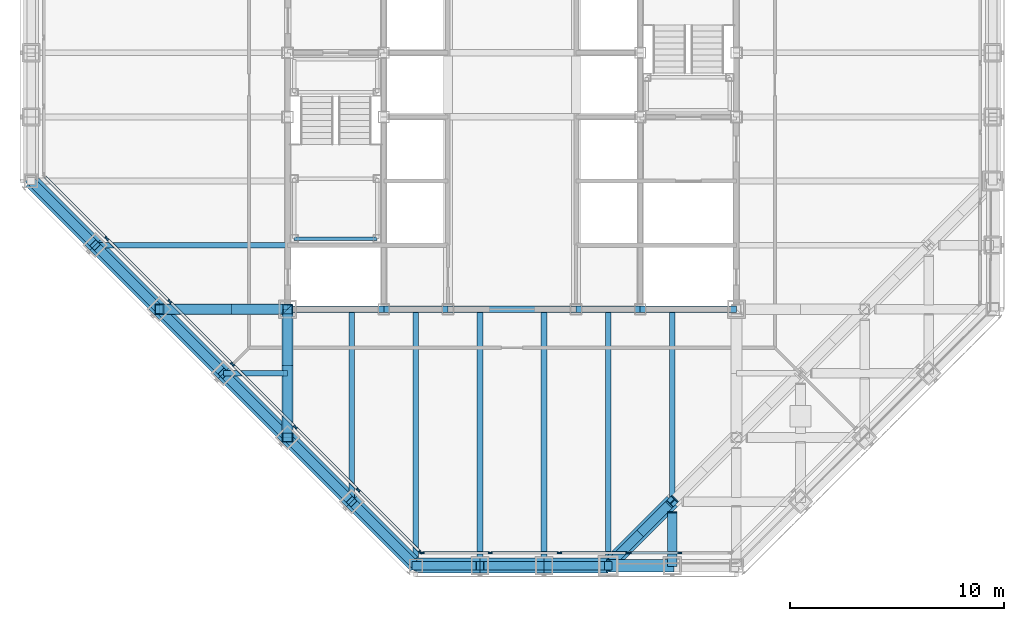
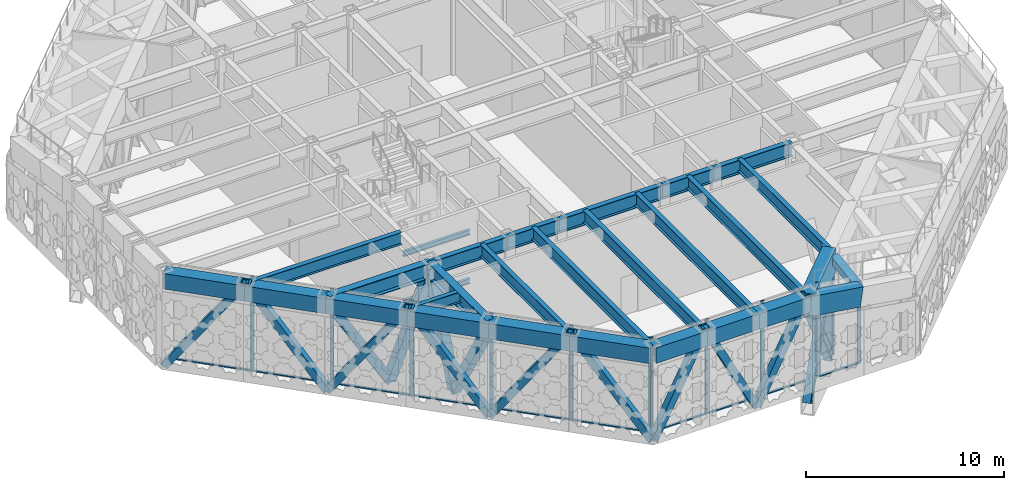
# One storey, part 5 of 29: 39 members, 28 beams, 3 elements without a shape of their own.
"""IFC4 building model written with IfcOpenShell, lengths in metres."""

import ifcopenshell
import ifcopenshell.guid

model = None  # the IFC model being written
_history = None  # IfcOwnerHistory: only IFC2X3 demands one
_inside = {}  # id of a spatial element -> (the spatial element, [elements in it])
_under = {}  # id of a project, library or spatial element -> (it, [spatial elements below it])
_declared = {}  # id of a project -> (the project, [libraries it declares])
_typed = {}  # id of a type object -> (the type object, [elements of that type])
_made_of = {}  # id of a material, layer set ... -> (it, [elements and type objects made of it])


def new_model(schema):
    """Start an empty IFC model of exactly this schema.

    Asked for "IFC4X3", IfcOpenShell would pick the latest addendum, in which some entities
    have other attributes; the version numbers below select the first issue.
    IFC2X3 requires an IfcOwnerHistory on every rooted entity: one is made here for all.
    """
    global model, _history
    if schema == "IFC4X3":
        model = ifcopenshell.file(schema_version=(4, 3, 0, 0))
    else:
        model = ifcopenshell.file(schema=schema)
    _inside.clear()
    _under.clear()
    _declared.clear()
    _typed.clear()
    _made_of.clear()
    _history = None
    if model.schema == "IFC2X3":
        org = make("IfcOrganization", Name="unknown")
        user = make(
            "IfcPersonAndOrganization",
            ThePerson=make("IfcPerson", FamilyName="unknown"),
            TheOrganization=org,
        )
        app = make(
            "IfcApplication",
            ApplicationDeveloper=org,
            Version="unknown",
            ApplicationFullName="unknown",
            ApplicationIdentifier="unknown",
        )
        _history = make(
            "IfcOwnerHistory",
            OwningUser=user,
            OwningApplication=app,
            ChangeAction="ADDED",
            CreationDate=0,
        )
    return model


def make(cls, **values):
    """One entity of the class cls with the attributes given. An attribute that is None is left unset."""
    return model.create_entity(
        cls, **{name: value for name, value in values.items() if value is not None}
    )


def rooted(cls, **values):
    """An entity with a GlobalId (a new one), such as an element, a storey or a relation."""
    return make(cls, GlobalId=ifcopenshell.guid.new(), OwnerHistory=_history, **values)


def si_unit(unit_type, name, prefix=None):
    """IfcSIUnit, for example si_unit("LENGTHUNIT", "METRE", prefix="MILLI")."""
    return make("IfcSIUnit", UnitType=unit_type, Prefix=prefix, Name=name)


def assignment(units):
    """IfcUnitAssignment: the units of a project."""
    return None if units is None else make("IfcUnitAssignment", Units=units)


def point(xyz):
    """IfcCartesianPoint."""
    return None if xyz is None else make("IfcCartesianPoint", Coordinates=xyz)


def direction(xyz):
    """IfcDirection."""
    return None if xyz is None else make("IfcDirection", DirectionRatios=xyz)


def frame(location, z_axis=None, x_axis=None):
    """IfcAxis2Placement3D, a coordinate frame: its origin and axes. An axis left out is left unset."""
    return make(
        "IfcAxis2Placement3D",
        Location=point(location),
        Axis=direction(z_axis),
        RefDirection=direction(x_axis),
    )


def frame_2d(location, x_axis=None):
    """IfcAxis2Placement2D, a coordinate frame in the plane: its origin and x axis."""
    return make(
        "IfcAxis2Placement2D", Location=point(location), RefDirection=direction(x_axis)
    )


def origin():
    """The frame at (0, 0, 0) with its axes left unset."""
    return frame((0.0, 0.0, 0.0))


def origin_2d():
    """The frame at (0, 0) in the plane with its x axis left unset."""
    return frame_2d((0.0, 0.0))


def place(relative_to, where):
    """IfcLocalPlacement: puts the frame where relative to a parent placement (None: the world)."""
    return make(
        "IfcLocalPlacement", PlacementRelTo=relative_to, RelativePlacement=where
    )


def context(
    kind, dimensions, precision=None, world=None, true_north=None, identifier=None
):
    """IfcGeometricRepresentationContext, for example the 3D "Model" context."""
    return make(
        "IfcGeometricRepresentationContext",
        ContextIdentifier=identifier,
        ContextType=kind,
        CoordinateSpaceDimension=dimensions,
        Precision=precision,
        WorldCoordinateSystem=world,
        TrueNorth=true_north,
    )


def subcontext(parent, identifier, kind, view, scale=None):
    """IfcGeometricRepresentationSubContext, for example "Body" below "Model"."""
    return make(
        "IfcGeometricRepresentationSubContext",
        ContextIdentifier=identifier,
        ContextType=kind,
        ParentContext=parent,
        TargetScale=scale,
        TargetView=view,
    )


def project(units=None, contexts=None):
    """IfcProject with its units and contexts."""
    return rooted(
        "IfcProject",
        Name="project",
        RepresentationContexts=contexts,
        UnitsInContext=assignment(units),
    )


def spatial(cls, under=None, at=None, **own):
    """A site, building, storey or space (cls), placed at a placement, below another one or the project."""
    s = rooted(cls, ObjectPlacement=at, **own)
    if under is not None:
        _under.setdefault(under.id(), (under, []))[1].append(s)
    return s


def profile(cls, at=None, kind="AREA", **sizes):
    """A parametric profile (cls). Its sizes go by their IFC names, for example OverallWidth=200.0."""
    return make(cls, ProfileType=kind, Position=at, **sizes)


def rectangle(**sizes):
    """IfcRectangleProfileDef."""
    return profile("IfcRectangleProfileDef", **sizes)


def hollow_rectangle(**sizes):
    """IfcRectangleHollowProfileDef."""
    return profile("IfcRectangleHollowProfileDef", **sizes)


def i_section(**sizes):
    """IfcIShapeProfileDef."""
    return profile("IfcIShapeProfileDef", **sizes)


def extrude(swept, where, along, depth):
    """IfcExtrudedAreaSolid: the profile swept, set in the frame where, extruded along a direction by depth."""
    return make(
        "IfcExtrudedAreaSolid",
        SweptArea=swept,
        Position=where,
        ExtrudedDirection=direction(along),
        Depth=depth,
    )


def shape(context_of_items, identifier, shape_type, items):
    """IfcShapeRepresentation: the items that make up one representation, for example the "Body"."""
    return make(
        "IfcShapeRepresentation",
        ContextOfItems=context_of_items,
        RepresentationIdentifier=identifier,
        RepresentationType=shape_type,
        Items=items,
    )


def material(Name=None, Category=None):
    """IfcMaterial."""
    return make("IfcMaterial", Name=Name, Category=Category)


def layer(
    of_material, thickness, ventilated=None, Name=None, Category=None, Priority=None
):
    """IfcMaterialLayer: one layer of a wall or slab, of a material (None: an air gap)."""
    return make(
        "IfcMaterialLayer",
        Material=of_material,
        LayerThickness=thickness,
        IsVentilated=ventilated,
        Name=Name,
        Category=Category,
        Priority=Priority,
    )


def layer_set(layers, Name=None):
    """IfcMaterialLayerSet."""
    return make("IfcMaterialLayerSet", MaterialLayers=layers, LayerSetName=Name)


def material_profile(
    of_material, cross_section, Name=None, Category=None, Priority=None
):
    """IfcMaterialProfile: a cross section and its material."""
    return make(
        "IfcMaterialProfile",
        Name=Name,
        Material=of_material,
        Profile=cross_section,
        Priority=Priority,
        Category=Category,
    )


def profile_set(profiles, Name=None, composite=None):
    """IfcMaterialProfileSet."""
    return make(
        "IfcMaterialProfileSet",
        Name=Name,
        MaterialProfiles=profiles,
        CompositeProfile=composite,
    )


def made_of(thing, what):
    """Note that an element or type object is made of a material, layer set ...; save() writes the relation."""
    if what is not None:
        _made_of.setdefault(what.id(), (what, []))[1].append(thing)
    return thing


def type_object(cls, material=None, **own):
    """A type object (cls), such as IfcWallType, which elements share."""
    return made_of(rooted(cls, **own), material)


def element(
    cls,
    number,
    at=None,
    inside=None,
    cuts=None,
    type_object=None,
    material=None,
    context=None,
    identifier="Body",
    shape_type=None,
    held_by="IfcProductDefinitionShape",
    body=None,
    shapes=None,
    **own,
):
    """One element of the class cls, such as IfcWall. Its Tag is "e" and its number.

    at: its placement. inside: the storey or other place that contains it. cuts: it is an
    opening in that element (IfcRelVoidsElement). A single representation is given by context,
    identifier, shape_type and body (its items); several are given by shapes. held_by: the class
    of the entity that holds the representations. save() writes the other relations.
    """
    e = rooted(cls, Tag="e%d" % number, ObjectPlacement=at, **own)
    if body is not None:
        shapes = [shape(context, identifier, shape_type, body)]
    if shapes is not None:
        e.Representation = make(held_by, Representations=shapes)
    if inside is not None:
        _inside.setdefault(inside.id(), (inside, []))[1].append(e)
    if cuts is not None:
        rooted(
            "IfcRelVoidsElement", RelatingBuildingElement=cuts, RelatedOpeningElement=e
        )
    if type_object is not None:
        _typed.setdefault(type_object.id(), (type_object, []))[1].append(e)
    return made_of(e, material)


def aggregate(whole, parts):
    """IfcRelAggregates: a whole, such as a stair, and the parts it consists of."""
    return rooted("IfcRelAggregates", RelatingObject=whole, RelatedObjects=parts)


def save(model, path):
    """Write the relations noted so far, then the file.

    IfcRelAggregates (storeys below a building ...), IfcRelContainedInSpatialStructure (elements
    in a storey), IfcRelDefinesByType, IfcRelAssociatesMaterial and IfcRelDeclares: one each for
    every whole, place, type object, material and project.
    """
    for whole, parts in _under.values():
        aggregate(whole, parts)
    for where, things in _inside.values():
        rooted(
            "IfcRelContainedInSpatialStructure",
            RelatedElements=things,
            RelatingStructure=where,
        )
    for kind, things in _typed.values():
        rooted("IfcRelDefinesByType", RelatedObjects=things, RelatingType=kind)
    for what, things in _made_of.values():
        rooted("IfcRelAssociatesMaterial", RelatedObjects=things, RelatingMaterial=what)
    for by, libraries in _declared.values():
        rooted("IfcRelDeclares", RelatingContext=by, RelatedDefinitions=libraries)
    model.write(path)


model = new_model("IFC4")

# Units and contexts
model_context = context("Model", 3, precision=1e-05, world=origin(), true_north=direction((0.0, 1.0)))
body_context = subcontext(model_context, "Body", "Model", "MODEL_VIEW")
ifc_project = project(units=[si_unit("LENGTHUNIT", "METRE"), si_unit("AREAUNIT", "SQUARE_METRE"), si_unit("VOLUMEUNIT", "CUBIC_METRE"), si_unit("PLANEANGLEUNIT", "RADIAN"), si_unit("MASSUNIT", "GRAM", prefix="KILO")], contexts=[model_context])

# Site, building, storey
site_placement = place(None, origin())
site = spatial("IfcSite", under=ifc_project, at=site_placement, CompositionType="ELEMENT")
building_placement = place(site_placement, origin())
building = spatial("IfcBuilding", under=site, at=building_placement, Name="Chuquiago Exchange Tower", CompositionType="ELEMENT")
storey_placement = place(building_placement, frame((0.0, 0.0, 251.699951171875)))
storey = spatial("IfcBuildingStorey", under=building, at=storey_placement, Name="L56", CompositionType="ELEMENT", Elevation=251.699951171875)

# Beams
ifc_material_1 = material(Name="Steel ASTM A992", Category="steel")
ifc_material_profile_1 = material_profile(ifc_material_1, i_section(OverallWidth=0.2919921875, OverallDepth=0.8583984375, WebThickness=0.01708984375, FlangeThickness=0.031005859375, at=origin_2d()), Name="W33X169")
ifc_profile_set_1 = profile_set([ifc_material_profile_1], Name="Steel ASTM A992")
beam_type_1 = type_object("IfcBeamType", Name="B3 W33X169", PredefinedType="BEAM", material=ifc_profile_set_1)
beam_1_placement = place(storey_placement, frame((12.0, 12.0, 5.41064453125), z_axis=(1.0, 0.0, 0.0), x_axis=(0.0, 1.0, 0.0)))
element("IfcBeam", 1, at=beam_1_placement, inside=storey, type_object=beam_type_1, Name="CB-L57-12_12-16.5_12", PredefinedType="BEAM", context=body_context, shape_type="SweptSolid", body=[
    extrude(i_section(OverallWidth=0.2919921875, OverallDepth=0.8583984375, WebThickness=0.01708984375, FlangeThickness=0.031005859375, at=origin_2d()), origin(), (0.0, 0.0, 1.0), 4.5),
])
beam_2_placement = place(storey_placement, frame((16.5, 12.0, 5.41064453125), z_axis=(1.0, 0.0, 0.0), x_axis=(0.0, 1.0, 0.0)))
element("IfcBeam", 2, at=beam_2_placement, inside=storey, type_object=beam_type_1, Name="CB-L57-16.5_12-19.5_12", PredefinedType="BEAM", context=body_context, shape_type="SweptSolid", body=[
    extrude(i_section(OverallWidth=0.2919921875, OverallDepth=0.8583984375, WebThickness=0.01708984375, FlangeThickness=0.031005859375, at=origin_2d()), origin(), (0.0, 0.0, 1.0), 3.0),
])
beam_3_placement = place(storey_placement, frame((19.5, 12.0, 5.41064453125), z_axis=(1.0, 0.0, 0.0), x_axis=(0.0, 1.0, 0.0)))
element("IfcBeam", 3, at=beam_3_placement, inside=storey, type_object=beam_type_1, Name="CB-L57-19.5_12-25.5_12", PredefinedType="BEAM", context=body_context, shape_type="SweptSolid", body=[
    extrude(i_section(OverallWidth=0.2919921875, OverallDepth=0.8583984375, WebThickness=0.01708984375, FlangeThickness=0.031005859375, at=origin_2d()), origin(), (0.0, 0.0, 1.0), 6.0),
])
beam_4_placement = place(storey_placement, frame((25.5, 12.0, 5.41064453125), z_axis=(1.0, 0.0, 0.0), x_axis=(0.0, 1.0, 0.0)))
element("IfcBeam", 4, at=beam_4_placement, inside=storey, type_object=beam_type_1, Name="CB-L57-25.5_12-28.5_12", PredefinedType="BEAM", context=body_context, shape_type="SweptSolid", body=[
    extrude(i_section(OverallWidth=0.2919921875, OverallDepth=0.8583984375, WebThickness=0.01708984375, FlangeThickness=0.031005859375, at=origin_2d()), origin(), (0.0, 0.0, 1.0), 3.0),
])
beam_5_placement = place(storey_placement, frame((28.5, 12.0, 5.41064453125), z_axis=(1.0, 0.0, 0.0), x_axis=(0.0, 1.0, 0.0)))
element("IfcBeam", 5, at=beam_5_placement, inside=storey, type_object=beam_type_1, Name="CB-L57-28.5_12-33_12", PredefinedType="BEAM", context=body_context, shape_type="SweptSolid", body=[
    extrude(i_section(OverallWidth=0.2919921875, OverallDepth=0.8583984375, WebThickness=0.01708984375, FlangeThickness=0.031005859375, at=origin_2d()), origin(), (0.0, 0.0, 1.0), 4.5),
])
ifc_material_2 = material(Name="Steel ASTM A992", Category="steel")
ifc_material_profile_2 = material_profile(ifc_material_2, i_section(OverallWidth=0.2666015625, OverallDepth=0.761962890625, WebThickness=0.014404296875, FlangeThickness=0.021484375, at=origin_2d()), Name="W30X116")
ifc_profile_set_2 = profile_set([ifc_material_profile_2], Name="Steel ASTM A992")
beam_type_2 = type_object("IfcBeamType", Name="B8 W30X116", PredefinedType="BEAM", material=ifc_profile_set_2)
beam_6_placement = place(storey_placement, frame((15.0, 12.0, 5.458984375), z_axis=(0.0, -1.0, 0.0), x_axis=(1.0, 0.0, 0.0)))
element("IfcBeam", 6, at=beam_6_placement, inside=storey, type_object=beam_type_2, Name="FB-L57-infill-15_12-15_3-0", PredefinedType="BEAM", context=body_context, shape_type="SweptSolid", body=[
    extrude(i_section(OverallWidth=0.2666015625, OverallDepth=0.761962890625, WebThickness=0.014404296875, FlangeThickness=0.021484375, at=origin_2d()), origin(), (0.0, 0.0, 1.0), 9.0),
])
for number, where, z_axis, x_axis, name in (
    (7, (18.0, 12.0, 5.458984375), (0.0, -1.0, 0.0), (1.0, 0.0, 0.0), "FB-L57-infill-18_12-18_-0-0"),
    (8, (21.0, 12.0, 5.458984375), (0.0, -1.0, 0.0), (1.0, 0.0, 0.0), "FB-L57-infill-21_12-21_-0-0"),
    (9, (24.0, 12.0, 5.458984375), (0.0, -1.0, 0.0), (1.0, 0.0, 0.0), "FB-L57-infill-24_12-24_-0-0"),
    (10, (27.0, 12.0, 5.458984375), (0.0, -1.0, 0.0), (1.0, 0.0, 0.0), "FB-L57-infill-27_12-27_-0-0"),
):
    element("IfcBeam", number, at=place(storey_placement, frame(where, z_axis=z_axis, x_axis=x_axis)), inside=storey, type_object=beam_type_2, Name=name, PredefinedType="BEAM", context=body_context, shape_type="SweptSolid", body=[
        extrude(i_section(OverallWidth=0.2666015625, OverallDepth=0.761962890625, WebThickness=0.014404296875, FlangeThickness=0.021484375, at=origin_2d()), origin(), (0.0, 0.0, 1.0), 12.0),
    ])
for number, where, z_axis, x_axis, name in (
    (11, (30.0, 12.0, 5.458984375), (0.0, -1.0, 0.0), (1.0, 0.0, 0.0), "FB-L57-infill-30_12-30_3-0"),
    (12, (12.0, 15.0, 5.458984375), (-1.0, 0.0, 0.0), (0.0, -1.0, 0.0), "FB-L57-infill-12_15-3_15-0"),
):
    element("IfcBeam", number, at=place(storey_placement, frame(where, z_axis=z_axis, x_axis=x_axis)), inside=storey, type_object=beam_type_2, Name=name, PredefinedType="BEAM", context=body_context, shape_type="SweptSolid", body=[
        extrude(i_section(OverallWidth=0.2666015625, OverallDepth=0.761962890625, WebThickness=0.014404296875, FlangeThickness=0.021484375, at=origin_2d()), origin(), (0.0, 0.0, 1.0), 9.0),
    ])
ifc_material_3 = material(Name="Steel ASTM A992", Category="steel")
ifc_material_profile_3 = material_profile(ifc_material_3, i_section(OverallWidth=0.256591796875, OverallDepth=0.693359375, WebThickness=0.014404296875, FlangeThickness=0.023681640625, at=origin_2d()), Name="W27X114")
ifc_profile_set_3 = profile_set([ifc_material_profile_3], Name="Steel ASTM A992")
beam_type_3 = type_object("IfcBeamType", Name="B9 W27X114", PredefinedType="BEAM", material=ifc_profile_set_3)
beam_7_placement = place(storey_placement, frame((12.0, 9.0, 5.493408203125), z_axis=(-1.0, 0.0, 0.0), x_axis=(0.0, -1.0, 0.0)))
element("IfcBeam", 13, at=beam_7_placement, inside=storey, type_object=beam_type_3, Name="FB-L57-corner-12_9-9_9-0", PredefinedType="BEAM", context=body_context, shape_type="SweptSolid", body=[
    extrude(i_section(OverallWidth=0.256591796875, OverallDepth=0.693359375, WebThickness=0.014404296875, FlangeThickness=0.023681640625, at=origin_2d()), origin(), (0.0, 0.0, 1.0), 3.0),
])

# Members
ifc_material_4 = material(Name="Steel ASTM A500 Grade C", Category="steel")
ifc_material_profile_4 = material_profile(ifc_material_4, hollow_rectangle(XDim=0.406494140625, YDim=0.406494140625, WallThickness=0.0146484375, at=origin_2d()), Name="HSS16X16X5/8")
ifc_profile_set_4 = profile_set([ifc_material_profile_4], Name="Steel ASTM A500 Grade C")
member_type_1 = type_object("IfcMemberType", Name="BT1 HSS16X16X5/8", PredefinedType="BRACE", material=ifc_profile_set_4)
for number, where, z_axis, x_axis, name in (
    (14, (18.0, 0.0, 0.0), (0.456929540486, 0.0, 0.889502892087), (0.0, 1.0, 0.0), "Belt truss L56 diagonal"),
    (15, (24.0, 0.0, 0.0), (-0.456929540486, 0.0, 0.889502892087), (0.0, -1.0, 0.0), "Belt truss L56 diagonal"),
    (16, (24.0, 0.0, 0.0), (0.456929540486, 0.0, 0.889502892087), (0.0, 1.0, 0.0), "Belt truss L56 diagonal"),
):
    element("IfcMember", number, at=place(storey_placement, frame(where, z_axis=z_axis, x_axis=x_axis)), inside=storey, type_object=member_type_1, Name=name, PredefinedType="BRACE", context=body_context, shape_type="SweptSolid", body=[
        extrude(hollow_rectangle(XDim=0.406494140625, YDim=0.406494140625, WallThickness=0.0146484375, at=origin_2d()), origin(), (0.0, 0.0, 1.0), 6.565673828125),
    ])
for number, where, z_axis, x_axis, name in (
    (17, (0.0, 18.0, 0.0), (0.415599269943, -0.415599269943, 0.80904542125), (0.707106781187, 0.707106781187, 0.0), "Belt truss L56 diagonal"),
    (18, (6.0, 12.0, 0.0), (-0.415599269943, 0.415599269943, 0.80904542125), (-0.707106781187, -0.707106781187, 0.0), "Belt truss L56 diagonal"),
    (19, (6.0, 12.0, 0.0), (0.415599269943, -0.415599269943, 0.80904542125), (0.707106781187, 0.707106781187, 0.0), "Belt truss L56 diagonal"),
    (20, (12.0, 6.0, 0.0), (-0.415599269943, 0.415599269943, 0.80904542125), (-0.707106781187, -0.707106781187, 0.0), "Belt truss L56 diagonal"),
    (21, (12.0, 6.0, 0.0), (0.415599269943, -0.415599269943, 0.80904542125), (0.707106781187, 0.707106781187, 0.0), "Belt truss L56 diagonal"),
    (22, (18.0, 0.0, 0.0), (-0.415599269943, 0.415599269943, 0.80904542125), (-0.707106781187, -0.707106781187, 0.0), "Belt truss L56 diagonal"),
):
    element("IfcMember", number, at=place(storey_placement, frame(where, z_axis=z_axis, x_axis=x_axis)), inside=storey, type_object=member_type_1, Name=name, PredefinedType="BRACE", context=body_context, shape_type="SweptSolid", body=[
        extrude(hollow_rectangle(XDim=0.406494140625, YDim=0.406494140625, WallThickness=0.0146484375, at=origin_2d()), origin(), (0.0, 0.0, 1.0), 7.218505859375),
    ])

# Curtain wall, members
ifc_material_5 = material(Name="Aluminium curtain wall system", Category="aluminium")
ifc_layer = layer(ifc_material_5, 0.199951171875)
ifc_layer_set = layer_set([ifc_layer], Name="CW6 plant floor louvre wall")
curtain_wall_type = type_object("IfcCurtainWallType", Name="CW6 plant floor louvre wall", PredefinedType="NOTDEFINED", material=ifc_layer_set)
curtain_wall_1_placement = place(storey_placement, origin())
curtain_wall_1 = element("IfcCurtainWall", 23, at=curtain_wall_1_placement, inside=storey, type_object=curtain_wall_type, Name="CW6 curtain wall L56", PredefinedType="NOTDEFINED")
ifc_material_6 = material(Name="Aluminium mullion, pale anodised", Category="aluminium")
ifc_material_profile_5 = material_profile(ifc_material_6, rectangle(XDim=0.074951171875, YDim=0.199951171875, at=origin_2d()), Name="AL 75x200")
ifc_profile_set_5 = profile_set([ifc_material_profile_5], Name="Aluminium mullion, pale anodised")
member_type_2 = type_object("IfcMemberType", Name="CW6-M mullion 75x200", PredefinedType="MULLION", material=ifc_profile_set_5)
member_1_placement = place(storey_placement, frame((18.285888671875, 0.60009765625, 0.0), z_axis=(0.0, 0.0, 1.0), x_axis=(0.0, 1.0, 0.0)))
member_1 = element("IfcMember", 24, at=member_1_placement, type_object=member_type_2, Name="CW6 mullion 1", PredefinedType="MULLION", context=body_context, shape_type="SweptSolid", body=[
    extrude(rectangle(XDim=0.074951171875, YDim=0.199951171875, at=origin_2d()), origin(), (0.0, 0.0, 1.0), 5.840087890625),
])
member_2_placement = place(storey_placement, frame((21.4833984375, 0.60009765625, 0.0), z_axis=(0.0, 0.0, 1.0), x_axis=(0.0, 1.0, 0.0)))
member_2 = element("IfcMember", 25, at=member_2_placement, type_object=member_type_2, Name="CW6 mullion 2", PredefinedType="MULLION", context=body_context, shape_type="SweptSolid", body=[
    extrude(rectangle(XDim=0.074951171875, YDim=0.199951171875, at=origin_2d()), origin(), (0.0, 0.0, 1.0), 5.840087890625),
])
member_3_placement = place(storey_placement, frame((24.718505859375, 0.60009765625, 0.0), z_axis=(0.0, 0.0, 1.0), x_axis=(0.0, 1.0, 0.0)))
member_3 = element("IfcMember", 26, at=member_3_placement, type_object=member_type_2, Name="CW6 mullion 3", PredefinedType="MULLION", context=body_context, shape_type="SweptSolid", body=[
    extrude(rectangle(XDim=0.074951171875, YDim=0.199951171875, at=origin_2d()), origin(), (0.0, 0.0, 1.0), 5.840087890625),
])
member_4_placement = place(storey_placement, frame((27.916015625, 0.60009765625, 0.0), z_axis=(0.0, 0.0, 1.0), x_axis=(0.0, 1.0, 0.0)))
member_4 = element("IfcMember", 27, at=member_4_placement, type_object=member_type_2, Name="CW6 mullion 4", PredefinedType="MULLION", context=body_context, shape_type="SweptSolid", body=[
    extrude(rectangle(XDim=0.074951171875, YDim=0.199951171875, at=origin_2d()), origin(), (0.0, 0.0, 1.0), 5.840087890625),
])

curtain_wall_2_placement = place(storey_placement, origin())
curtain_wall_2 = element("IfcCurtainWall", 28, at=curtain_wall_2_placement, inside=storey, type_object=curtain_wall_type, Name="CW6 curtain wall L56", PredefinedType="NOTDEFINED")
member_5_placement = place(storey_placement, frame((27.990966796875, 0.60009765625, 0.0), z_axis=(0.0, 0.0, 1.0), x_axis=(0.0, 1.0, 0.0)))
member_5 = element("IfcMember", 29, at=member_5_placement, type_object=member_type_2, Name="CW6 mullion 1", PredefinedType="MULLION", context=body_context, shape_type="SweptSolid", body=[
    extrude(rectangle(XDim=0.074951171875, YDim=0.199951171875, at=origin_2d()), origin(), (0.0, 0.0, 1.0), 5.021240234375),
])
member_6_placement = place(storey_placement, frame((30.3525390625, 0.60009765625, 0.0), z_axis=(0.0, 0.0, 1.0), x_axis=(0.0, 1.0, 0.0)))
member_6 = element("IfcMember", 30, at=member_6_placement, type_object=member_type_2, Name="CW6 mullion 2", PredefinedType="MULLION", context=body_context, shape_type="SweptSolid", body=[
    extrude(rectangle(XDim=0.074951171875, YDim=0.199951171875, at=origin_2d()), origin(), (0.0, 0.0, 1.0), 5.021240234375),
])

curtain_wall_3_placement = place(storey_placement, origin())
curtain_wall_3 = element("IfcCurtainWall", 31, at=curtain_wall_3_placement, inside=storey, type_object=curtain_wall_type, Name="CW6 curtain wall L56", PredefinedType="NOTDEFINED")
member_7_placement = place(storey_placement, frame((3.54150390625, 15.30712890625, 0.0), z_axis=(0.0, 0.0, 1.0), x_axis=(0.707106781187, 0.707106781187, 0.0)))
member_7 = element("IfcMember", 32, at=member_7_placement, type_object=member_type_2, Name="CW6 mullion 2", PredefinedType="MULLION", context=body_context, shape_type="SweptSolid", body=[
    extrude(rectangle(XDim=0.074951171875, YDim=0.199951171875, at=origin_2d()), origin(), (0.0, 0.0, 1.0), 5.840087890625),
])
member_8_placement = place(storey_placement, frame((6.48291015625, 12.36572265625, 0.0), z_axis=(0.0, 0.0, 1.0), x_axis=(0.707106781187, 0.707106781187, 0.0)))
member_8 = element("IfcMember", 33, at=member_8_placement, type_object=member_type_2, Name="CW6 mullion 3", PredefinedType="MULLION", context=body_context, shape_type="SweptSolid", body=[
    extrude(rectangle(XDim=0.074951171875, YDim=0.199951171875, at=origin_2d()), origin(), (0.0, 0.0, 1.0), 5.840087890625),
])
member_9_placement = place(storey_placement, frame((9.42431640625, 9.42431640625, 0.0), z_axis=(0.0, 0.0, 1.0), x_axis=(0.707106781187, 0.707106781187, 0.0)))
member_9 = element("IfcMember", 34, at=member_9_placement, type_object=member_type_2, Name="CW6 mullion 4", PredefinedType="MULLION", context=body_context, shape_type="SweptSolid", body=[
    extrude(rectangle(XDim=0.074951171875, YDim=0.199951171875, at=origin_2d()), origin(), (0.0, 0.0, 1.0), 5.840087890625),
])
member_10_placement = place(storey_placement, frame((12.36572265625, 6.48291015625, 0.0), z_axis=(0.0, 0.0, 1.0), x_axis=(0.707106781187, 0.707106781187, 0.0)))
member_10 = element("IfcMember", 35, at=member_10_placement, type_object=member_type_2, Name="CW6 mullion 5", PredefinedType="MULLION", context=body_context, shape_type="SweptSolid", body=[
    extrude(rectangle(XDim=0.074951171875, YDim=0.199951171875, at=origin_2d()), origin(), (0.0, 0.0, 1.0), 5.840087890625),
])
member_11_placement = place(storey_placement, frame((15.30712890625, 3.54150390625, 0.0), z_axis=(0.0, 0.0, 1.0), x_axis=(0.707106781187, 0.707106781187, 0.0)))
member_11 = element("IfcMember", 36, at=member_11_placement, type_object=member_type_2, Name="CW6 mullion 6", PredefinedType="MULLION", context=body_context, shape_type="SweptSolid", body=[
    extrude(rectangle(XDim=0.074951171875, YDim=0.199951171875, at=origin_2d()), origin(), (0.0, 0.0, 1.0), 5.840087890625),
])
member_12_placement = place(storey_placement, frame((18.221923828125, 0.62646484375, 0.0), z_axis=(0.0, 0.0, 1.0), x_axis=(0.707106781187, 0.707106781187, 0.0)))
member_12 = element("IfcMember", 37, at=member_12_placement, type_object=member_type_2, Name="CW6 mullion 7", PredefinedType="MULLION", context=body_context, shape_type="SweptSolid", body=[
    extrude(rectangle(XDim=0.074951171875, YDim=0.199951171875, at=origin_2d()), origin(), (0.0, 0.0, 1.0), 5.840087890625),
])

# Member
ifc_material_7 = material(Name="Aluminium transom, pale anodised", Category="aluminium")
ifc_material_profile_6 = material_profile(ifc_material_7, rectangle(XDim=0.1201171875, YDim=0.074951171875, at=origin_2d()), Name="AL 120x75")
ifc_profile_set_6 = profile_set([ifc_material_profile_6], Name="Aluminium transom, pale anodised")
member_type_3 = type_object("IfcMemberType", Name="CW6-T transom 75x120", PredefinedType="MULLION", material=ifc_profile_set_6)
member_13_placement = place(storey_placement, frame((18.323486328125, 0.60009765625, 0.03759765625), z_axis=(1.0, 0.0, 0.0), x_axis=(0.0, 1.0, 0.0)))
member_13 = element("IfcMember", 38, at=member_13_placement, type_object=member_type_3, Name="CW6 transom 1.1", PredefinedType="MULLION", context=body_context, shape_type="SweptSolid", body=[
    extrude(rectangle(XDim=0.1201171875, YDim=0.074951171875, at=origin_2d()), origin(), (0.0, 0.0, 1.0), 3.12255859375),
])

member_14_placement = place(storey_placement, frame((21.52099609375, 0.60009765625, 0.03759765625), z_axis=(1.0, 0.0, 0.0), x_axis=(0.0, 1.0, 0.0)))
member_14 = element("IfcMember", 39, at=member_14_placement, type_object=member_type_3, Name="CW6 transom 2.1", PredefinedType="MULLION", context=body_context, shape_type="SweptSolid", body=[
    extrude(rectangle(XDim=0.1201171875, YDim=0.074951171875, at=origin_2d()), origin(), (0.0, 0.0, 1.0), 3.159912109375),
])

member_15_placement = place(storey_placement, frame((24.756103515625, 0.60009765625, 0.03759765625), z_axis=(1.0, 0.0, 0.0), x_axis=(0.0, 1.0, 0.0)))
member_15 = element("IfcMember", 40, at=member_15_placement, type_object=member_type_3, Name="CW6 transom 3.1", PredefinedType="MULLION", context=body_context, shape_type="SweptSolid", body=[
    extrude(rectangle(XDim=0.1201171875, YDim=0.074951171875, at=origin_2d()), origin(), (0.0, 0.0, 1.0), 3.122314453125),
])

aggregate(curtain_wall_1, [member_1, member_2, member_3, member_4, member_13, member_14, member_15])

member_16_placement = place(storey_placement, frame((28.028564453125, 0.60009765625, 0.03759765625), z_axis=(1.0, 0.0, 0.0), x_axis=(0.0, 1.0, 0.0)))
member_16 = element("IfcMember", 41, at=member_16_placement, type_object=member_type_3, Name="CW6 transom 1.1", PredefinedType="MULLION", context=body_context, shape_type="SweptSolid", body=[
    extrude(rectangle(XDim=0.1201171875, YDim=0.074951171875, at=origin_2d()), origin(), (0.0, 0.0, 1.0), 2.286376953125),
])

aggregate(curtain_wall_2, [member_5, member_6, member_16])

member_17_placement = place(storey_placement, frame((0.653076171875, 18.195556640625, 0.03759765625), z_axis=(0.707076620305, -0.707136940781, 0.0), x_axis=(0.707136940781, 0.707076620305, 0.0)))
member_17 = element("IfcMember", 42, at=member_17_placement, type_object=member_type_3, Name="CW6 transom 1.1", PredefinedType="MULLION", context=body_context, shape_type="SweptSolid", body=[
    extrude(rectangle(XDim=0.1201171875, YDim=0.074951171875, at=origin_2d()), origin(), (0.0, 0.0, 1.0), 4.04736328125),
])

member_18_placement = place(storey_placement, frame((3.56787109375, 15.280517578125, 0.03759765625), z_axis=(0.707106781187, -0.707106781187, 0.0), x_axis=(0.707106781187, 0.707106781187, 0.0)))
member_18 = element("IfcMember", 43, at=member_18_placement, type_object=member_type_3, Name="CW6 transom 2.1", PredefinedType="MULLION", context=body_context, shape_type="SweptSolid", body=[
    extrude(rectangle(XDim=0.1201171875, YDim=0.074951171875, at=origin_2d()), origin(), (0.0, 0.0, 1.0), 4.0849609375),
])

member_19_placement = place(storey_placement, frame((6.50927734375, 12.339111328125, 0.03759765625), z_axis=(0.707106781187, -0.707106781187, 0.0), x_axis=(0.707106781187, 0.707106781187, 0.0)))
member_19 = element("IfcMember", 44, at=member_19_placement, type_object=member_type_3, Name="CW6 transom 3.1", PredefinedType="MULLION", context=body_context, shape_type="SweptSolid", body=[
    extrude(rectangle(XDim=0.1201171875, YDim=0.074951171875, at=origin_2d()), origin(), (0.0, 0.0, 1.0), 4.0849609375),
])

member_20_placement = place(storey_placement, frame((9.45068359375, 9.397705078125, 0.03759765625), z_axis=(0.707106781187, -0.707106781187, 0.0), x_axis=(0.707106781187, 0.707106781187, 0.0)))
member_20 = element("IfcMember", 45, at=member_20_placement, type_object=member_type_3, Name="CW6 transom 4.1", PredefinedType="MULLION", context=body_context, shape_type="SweptSolid", body=[
    extrude(rectangle(XDim=0.1201171875, YDim=0.074951171875, at=origin_2d()), origin(), (0.0, 0.0, 1.0), 4.0849609375),
])

member_21_placement = place(storey_placement, frame((12.39208984375, 6.456298828125, 0.03759765625), z_axis=(0.707106781187, -0.707106781187, 0.0), x_axis=(0.707106781187, 0.707106781187, 0.0)))
member_21 = element("IfcMember", 46, at=member_21_placement, type_object=member_type_3, Name="CW6 transom 5.1", PredefinedType="MULLION", context=body_context, shape_type="SweptSolid", body=[
    extrude(rectangle(XDim=0.1201171875, YDim=0.074951171875, at=origin_2d()), origin(), (0.0, 0.0, 1.0), 4.0849609375),
])

member_22_placement = place(storey_placement, frame((15.33349609375, 3.514892578125, 0.03759765625), z_axis=(0.707136940781, -0.707076620305, 0.0), x_axis=(0.707076620305, 0.707136940781, 0.0)))
member_22 = element("IfcMember", 47, at=member_22_placement, type_object=member_type_3, Name="CW6 transom 6.1", PredefinedType="MULLION", context=body_context, shape_type="SweptSolid", body=[
    extrude(rectangle(XDim=0.1201171875, YDim=0.074951171875, at=origin_2d()), origin(), (0.0, 0.0, 1.0), 4.04736328125),
])

aggregate(curtain_wall_3, [member_7, member_8, member_9, member_10, member_11, member_12, member_17, member_18, member_19, member_20, member_21, member_22])

# Beams
ifc_material_8 = material(Name="Steel ASTM A572 Grade 50", Category="steel")
ifc_material_profile_7 = material_profile(ifc_material_8, hollow_rectangle(XDim=0.60009765625, YDim=1.199951171875, WallThickness=0.074951171875, at=origin_2d()), Name="BOX1200X600X75")
ifc_profile_set_7 = profile_set([ifc_material_profile_7], Name="Steel ASTM A572 Grade 50")
beam_type_4 = type_object("IfcBeamType", Name="EB3 BOX1200X600X75", PredefinedType="BEAM", material=ifc_profile_set_7)
beam_8_placement = place(storey_placement, frame((27.0, 0.0, 5.199951171875), z_axis=(0.988903271683, 0.0, -0.148560826784), x_axis=(0.0, 1.0, 0.0)))
element("IfcBeam", 48, at=beam_8_placement, inside=storey, type_object=beam_type_4, Name="Facet roof edge beam L56", PredefinedType="BEAM", context=body_context, shape_type="SweptSolid", body=[
    extrude(hollow_rectangle(XDim=0.60009765625, YDim=1.199951171875, WallThickness=0.074951171875, at=origin_2d()), origin(), (0.0, 0.0, 1.0), 3.03369140625),
])
ifc_material_9 = material(Name="Steel ASTM A572 Grade 50", Category="steel")
ifc_material_profile_8 = material_profile(ifc_material_9, hollow_rectangle(XDim=0.449951171875, YDim=0.449951171875, WallThickness=0.034912109375, at=origin_2d()), Name="BOX450X450X35")
ifc_profile_set_8 = profile_set([ifc_material_profile_8], Name="Steel ASTM A572 Grade 50")
beam_type_5 = type_object("IfcBeamType", Name="FR1 BOX450X450X35", PredefinedType="BEAM", material=ifc_profile_set_8)
beam_9_placement = place(storey_placement, frame((30.0, 2.507080078125, 5.464599609375), z_axis=(0.0, -0.988898884676, -0.148590026201), x_axis=(1.0, 0.0, 0.0)))
element("IfcBeam", 49, at=beam_9_placement, inside=storey, type_object=beam_type_5, Name="Facet roof rafter L56", PredefinedType="BEAM", context=body_context, shape_type="SweptSolid", body=[
    extrude(hollow_rectangle(XDim=0.449951171875, YDim=0.449951171875, WallThickness=0.034912109375, at=origin_2d()), origin(), (0.0, 0.0, 1.0), 2.53515625),
])
ifc_material_10 = material(Name="Steel ASTM A992", Category="steel")
ifc_material_profile_9 = material_profile(ifc_material_10, i_section(OverallWidth=0.424072265625, OverallDepth=0.947509765625, WebThickness=0.02392578125, FlangeThickness=0.042724609375, at=origin_2d()), Name="W36X302")
ifc_profile_set_9 = profile_set([ifc_material_profile_9], Name="Steel ASTM A992")
beam_type_6 = type_object("IfcBeamType", Name="G4 W36X302", PredefinedType="BEAM", material=ifc_profile_set_9)
for number, where, z_axis, x_axis, name in (
    (50, (12.0, 12.0, 5.366455078125), (0.0, -1.0, 0.0), (1.0, 0.0, 0.0), "FB-L57-girder-12_12-12_6-0"),
    (51, (12.0, 12.0, 5.366455078125), (-1.0, 0.0, 0.0), (0.0, -1.0, 0.0), "FB-L57-girder-12_12-6_12-0"),
):
    element("IfcBeam", number, at=place(storey_placement, frame(where, z_axis=z_axis, x_axis=x_axis)), inside=storey, type_object=beam_type_6, Name=name, PredefinedType="BEAM", context=body_context, shape_type="SweptSolid", body=[
        extrude(i_section(OverallWidth=0.424072265625, OverallDepth=0.947509765625, WebThickness=0.02392578125, FlangeThickness=0.042724609375, at=origin_2d()), origin(), (0.0, 0.0, 1.0), 6.0),
    ])
ifc_material_11 = material(Name="Steel ASTM A992", Category="steel")
ifc_material_profile_10 = material_profile(ifc_material_11, i_section(OverallWidth=0.164794921875, OverallDepth=0.309814453125, WebThickness=0.005859375, FlangeThickness=0.009765625, at=origin_2d()), Name="W12X26")
ifc_profile_set_10 = profile_set([ifc_material_profile_10], Name="Steel ASTM A992")
beam_type_7 = type_object("IfcBeamType", Name="LT1 W12X26", PredefinedType="BEAM", material=ifc_profile_set_10)
for number, where, z_axis, x_axis, name in (
    (52, (12.31005859375, 15.31005859375, 1.145263671875), (1.0, 0.0, 0.0), (0.0, 1.0, 0.0), "Stair ST1 L56 landing 1 trimmer"),
    (53, (12.31005859375, 15.31005859375, 4.145263671875), (1.0, 0.0, 0.0), (0.0, 1.0, 0.0), "Stair ST1 L56 landing 3 trimmer"),
):
    element("IfcBeam", number, at=place(storey_placement, frame(where, z_axis=z_axis, x_axis=x_axis)), inside=storey, type_object=beam_type_7, Name=name, PredefinedType="BEAM", context=body_context, shape_type="SweptSolid", body=[
        extrude(i_section(OverallWidth=0.164794921875, OverallDepth=0.309814453125, WebThickness=0.005859375, FlangeThickness=0.009765625, at=origin_2d()), origin(), (0.0, 0.0, 1.0), 3.8798828125),
    ])

# Members
ifc_material_12 = material(Name="Steel ASTM A572 Grade 50", Category="steel")
ifc_material_profile_11 = material_profile(ifc_material_12, hollow_rectangle(XDim=0.5, YDim=0.5, WallThickness=0.0400390625, at=origin_2d()), Name="BOX500X500X40")
ifc_profile_set_11 = profile_set([ifc_material_profile_11], Name="Steel ASTM A572 Grade 50")
member_type_4 = type_object("IfcMemberType", Name="OT1 BOX500X500X40", PredefinedType="BRACE", material=ifc_profile_set_11)
member_23_placement = place(storey_placement, frame((12.0, 12.0, 5.366455078125), z_axis=(0.0, -0.371377648723, -0.928481901832), x_axis=(1.0, 0.0, 0.0)))
element("IfcMember", 54, at=member_23_placement, inside=storey, type_object=member_type_4, Name="Outrigger diagonal L56", PredefinedType="BRACE", context=body_context, shape_type="SweptSolid", body=[
    extrude(hollow_rectangle(XDim=0.5, YDim=0.5, WallThickness=0.0400390625, at=origin_2d()), origin(), (0.0, 0.0, 1.0), 6.462158203125),
])
member_24_placement = place(storey_placement, frame((12.0, 9.60009765625, -0.633544921875), z_axis=(0.0, -0.514506017516, 0.857486768376), x_axis=(1.0, 0.0, 0.0)))
element("IfcMember", 55, at=member_24_placement, inside=storey, type_object=member_type_4, Name="Outrigger diagonal L56", PredefinedType="BRACE", context=body_context, shape_type="SweptSolid", body=[
    extrude(hollow_rectangle(XDim=0.5, YDim=0.5, WallThickness=0.0400390625, at=origin_2d()), origin(), (0.0, 0.0, 1.0), 6.997314453125),
])
member_25_placement = place(storey_placement, frame((12.0, 12.0, 5.366455078125), z_axis=(-0.371377648723, 0.0, -0.928481901832), x_axis=(0.0, -1.0, 0.0)))
element("IfcMember", 56, at=member_25_placement, inside=storey, type_object=member_type_4, Name="Outrigger diagonal L56", PredefinedType="BRACE", context=body_context, shape_type="SweptSolid", body=[
    extrude(hollow_rectangle(XDim=0.5, YDim=0.5, WallThickness=0.0400390625, at=origin_2d()), origin(), (0.0, 0.0, 1.0), 6.462158203125),
])
member_26_placement = place(storey_placement, frame((9.60009765625, 12.0, -0.633544921875), z_axis=(-0.514506017516, 0.0, 0.857486768376), x_axis=(0.0, -1.0, 0.0)))
element("IfcMember", 57, at=member_26_placement, inside=storey, type_object=member_type_4, Name="Outrigger diagonal L56", PredefinedType="BRACE", context=body_context, shape_type="SweptSolid", body=[
    extrude(hollow_rectangle(XDim=0.5, YDim=0.5, WallThickness=0.0400390625, at=origin_2d()), origin(), (0.0, 0.0, 1.0), 6.997314453125),
])

# Beams
ifc_material_13 = material(Name="Steel ASTM A572 Grade 50", Category="steel")
ifc_material_profile_12 = material_profile(ifc_material_13, hollow_rectangle(XDim=0.699951171875, YDim=0.949951171875, WallThickness=0.10009765625, at=origin_2d()), Name="BOX950X700X100")
ifc_profile_set_12 = profile_set([ifc_material_profile_12], Name="Steel ASTM A572 Grade 50")
beam_type_8 = type_object("IfcBeamType", Name="SP5 BOX950X700X100", PredefinedType="SPANDREL", material=ifc_profile_set_12)
for number, where, z_axis, x_axis, name in (
    (58, (18.0, 0.0, 5.364990234375), (1.0, 0.0, 0.0), (0.0, 1.0, 0.0), "SPB-L57-18_0-21_0"),
    (59, (21.0, 0.0, 5.364990234375), (1.0, 0.0, 0.0), (0.0, 1.0, 0.0), "SPB-L57-21_0-24_0"),
    (60, (24.0, 0.0, 5.364990234375), (1.0, 0.0, 0.0), (0.0, 1.0, 0.0), "SPB-L57-24_0-27_0"),
):
    element("IfcBeam", number, at=place(storey_placement, frame(where, z_axis=z_axis, x_axis=x_axis)), inside=storey, type_object=beam_type_8, Name=name, PredefinedType="SPANDREL", context=body_context, shape_type="SweptSolid", body=[
        extrude(hollow_rectangle(XDim=0.699951171875, YDim=0.949951171875, WallThickness=0.10009765625, at=origin_2d()), origin(), (0.0, 0.0, 1.0), 3.0),
    ])
for number, where, z_axis, x_axis, name in (
    (61, (0.0, 18.0, 5.364990234375), (0.707106781187, -0.707106781187, 0.0), (0.707106781187, 0.707106781187, 0.0), "SPB-L57-0_18-3_15"),
    (62, (3.0, 15.0, 5.364990234375), (0.707106781187, -0.707106781187, 0.0), (0.707106781187, 0.707106781187, 0.0), "SPB-L57-3_15-6_12"),
    (63, (6.0, 12.0, 5.364990234375), (0.707106781187, -0.707106781187, 0.0), (0.707106781187, 0.707106781187, 0.0), "SPB-L57-6_12-9_9"),
    (64, (9.0, 9.0, 5.364990234375), (0.707106781187, -0.707106781187, 0.0), (0.707106781187, 0.707106781187, 0.0), "SPB-L57-9_9-12_6"),
    (65, (12.0, 6.0, 5.364990234375), (0.707106781187, -0.707106781187, 0.0), (0.707106781187, 0.707106781187, 0.0), "SPB-L57-12_6-15_3"),
    (66, (15.0, 3.0, 5.364990234375), (0.707106781187, -0.707106781187, 0.0), (0.707106781187, 0.707106781187, 0.0), "SPB-L57-15_3-18_0"),
):
    element("IfcBeam", number, at=place(storey_placement, frame(where, z_axis=z_axis, x_axis=x_axis)), inside=storey, type_object=beam_type_8, Name=name, PredefinedType="SPANDREL", context=body_context, shape_type="SweptSolid", body=[
        extrude(hollow_rectangle(XDim=0.699951171875, YDim=0.949951171875, WallThickness=0.10009765625, at=origin_2d()), origin(), (0.0, 0.0, 1.0), 4.24267578125),
    ])

# Members
ifc_material_14 = material(Name="Steel ASTM A572 Grade 50", Category="steel")
ifc_material_profile_13 = material_profile(ifc_material_14, hollow_rectangle(XDim=0.699951171875, YDim=1.5, WallThickness=0.080078125, at=origin_2d()), Name="BOX1500X700X80")
ifc_profile_set_13 = profile_set([ifc_material_profile_13], Name="Steel ASTM A572 Grade 50")
member_type_5 = type_object("IfcMemberType", Name="TT1 BOX1500X700X80", PredefinedType="CHORD", material=ifc_profile_set_13)
member_27_placement = place(storey_placement, frame((27.0, 0.0, 5.090087890625), z_axis=(0.707106781187, 0.707106781187, 0.0), x_axis=(-0.707106781187, 0.707106781187, 0.0)))
element("IfcMember", 67, at=member_27_placement, inside=storey, type_object=member_type_5, Name="Transfer truss L56 SE top chord", PredefinedType="CHORD", context=body_context, shape_type="SweptSolid", body=[
    extrude(hollow_rectangle(XDim=0.699951171875, YDim=1.5, WallThickness=0.080078125, at=origin_2d()), origin(), (0.0, 0.0, 1.0), 4.24267578125),
])
ifc_material_15 = material(Name="Steel ASTM A992", Category="steel")
ifc_material_profile_14 = material_profile(ifc_material_15, i_section(OverallWidth=0.41650390625, OverallDepth=0.444580078125, WebThickness=0.0390625, FlangeThickness=0.062744140625, at=origin_2d()), Name="W14X342")
ifc_profile_set_14 = profile_set([ifc_material_profile_14], Name="Steel ASTM A992")
member_type_6 = type_object("IfcMemberType", Name="TT2 W14X342", PredefinedType="STRUT", material=ifc_profile_set_14)
member_28_placement = place(storey_placement, frame((30.0, 3.0, -0.909912109375), z_axis=(0.0, 0.0, 1.0), x_axis=(0.707106781187, -0.707106781187, 0.0)))
element("IfcMember", 68, at=member_28_placement, inside=storey, type_object=member_type_6, Name="Transfer truss L56 SE post", PredefinedType="STRUT", context=body_context, shape_type="SweptSolid", body=[
    extrude(i_section(OverallWidth=0.41650390625, OverallDepth=0.444580078125, WebThickness=0.0390625, FlangeThickness=0.062744140625, at=origin_2d()), origin(), (0.0, 0.0, 1.0), 6.0),
])
ifc_material_16 = material(Name="Steel ASTM A992", Category="steel")
ifc_material_profile_15 = material_profile(ifc_material_16, i_section(OverallWidth=0.431884765625, OverallDepth=0.497802734375, WebThickness=0.0556640625, FlangeThickness=0.0888671875, at=origin_2d()), Name="W14X500")
ifc_profile_set_15 = profile_set([ifc_material_profile_15], Name="Steel ASTM A992")
member_type_7 = type_object("IfcMemberType", Name="TT3 W14X500", PredefinedType="BRACE", material=ifc_profile_set_15)
for number, where, z_axis, x_axis, name in (
    (69, (27.0, 0.0, -0.909912109375), (0.408248290464, 0.408248290464, 0.816496580928), (-0.707106781187, 0.707106781187, 0.0), "Transfer truss L56 SE diagonal"),
    (70, (30.0, 3.0, -0.909912109375), (-0.408248290464, -0.408248290464, 0.816496580928), (0.707106781187, -0.707106781187, 0.0), "Transfer truss L56 SE counter-diagonal"),
):
    element("IfcMember", number, at=place(storey_placement, frame(where, z_axis=z_axis, x_axis=x_axis)), inside=storey, type_object=member_type_7, Name=name, PredefinedType="BRACE", context=body_context, shape_type="SweptSolid", body=[
        extrude(i_section(OverallWidth=0.431884765625, OverallDepth=0.497802734375, WebThickness=0.0556640625, FlangeThickness=0.0888671875, at=origin_2d()), origin(), (0.0, 0.0, 1.0), 7.348388671875),
    ])

save(model, "model.ifc")
